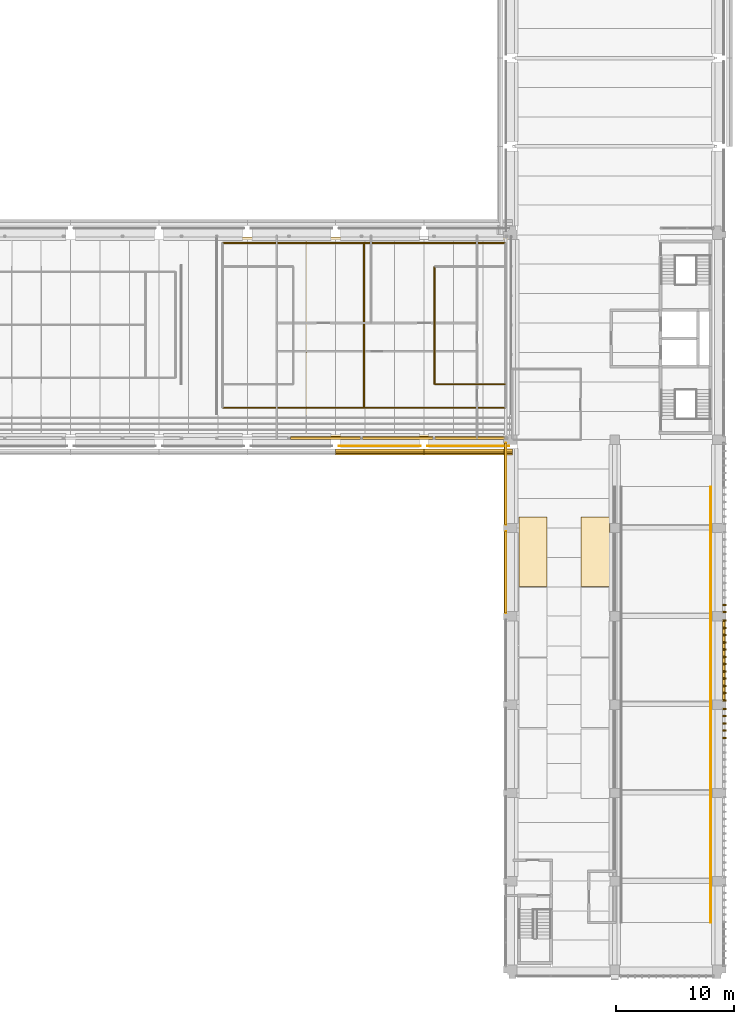
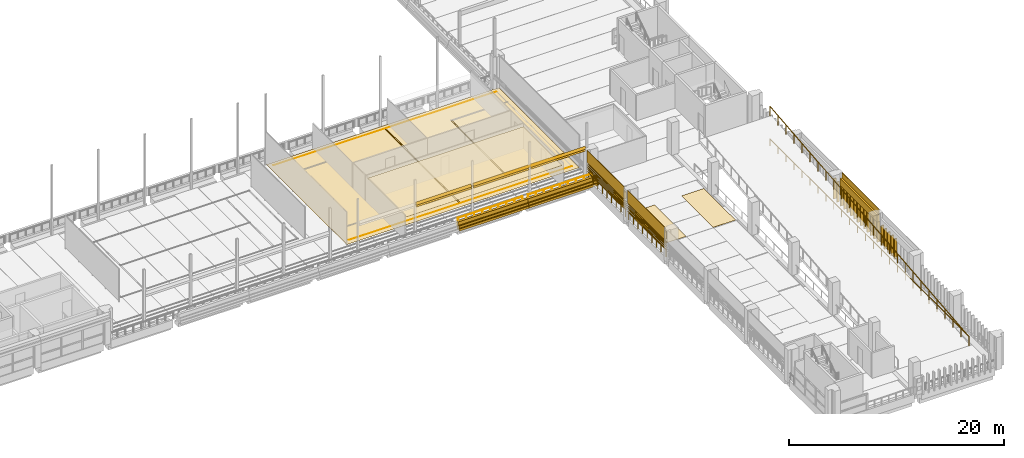
# One storey, part 56 of 62: 33 coverings, 16 shading devices, 6 railings.
"""IFC4 building model written with IfcOpenShell, lengths in metres."""

from ifc_helpers import new_model, si_unit, direction, frame, origin, origin_2d, place, context, subcontext, project, spatial, polyline, rectangle, circle, outline, extrude, material, layer, layer_set, material_profile, profile_set, type_object, element, save


model = new_model("IFC4")

# Units and contexts
model_context = context("Model", 3, precision=1e-05, world=origin(), true_north=direction((0.0, 1.0)))
body_context = subcontext(model_context, "Body", "Model", "MODEL_VIEW")
ifc_project = project(units=[si_unit("LENGTHUNIT", "METRE"), si_unit("AREAUNIT", "SQUARE_METRE"), si_unit("VOLUMEUNIT", "CUBIC_METRE"), si_unit("PLANEANGLEUNIT", "RADIAN"), si_unit("MASSUNIT", "GRAM", prefix="KILO")], contexts=[model_context])

# Site, building, storey
site_placement = place(None, origin())
site = spatial("IfcSite", under=ifc_project, at=site_placement, CompositionType="ELEMENT")
building_placement = place(site_placement, origin())
building = spatial("IfcBuilding", under=site, at=building_placement, Name="Cour d'Honneur Mobility Palace", CompositionType="ELEMENT")
storey_placement = place(building_placement, frame((0.0, 0.0, 19.300048828125)))
storey = spatial("IfcBuildingStorey", under=building, at=storey_placement, Name="L05", CompositionType="ELEMENT", Elevation=19.300048828125)

# Railings
ifc_material_1 = material(Name="Painted steel", Category="steel")
railing_type_1 = type_object("IfcRailingType", Name="Balustrade", PredefinedType="BALUSTRADE", material=ifc_material_1)
for number, where, name in (
    (1, (130.199951171875, 44.449951171875, 0.300048828125), "Balustrade BAL-281"),
    (2, (137.699951171875, 44.449951171875, 0.300048828125), "Balustrade BAL-282"),
):
    element("IfcRailing", number, at=place(storey_placement, frame(where)), inside=storey, type_object=railing_type_1, Name=name, PredefinedType="BALUSTRADE", context=body_context, shape_type="SweptSolid", body=[
        extrude(circle(Radius=0.02392578125, at=origin_2d()), frame((0.0, 0.0, 0.77587890625), z_axis=(1.0, 0.0, 0.0), x_axis=(0.0, 1.0, 0.0)), (0.0, 0.0, 1.0), 6.900146484375),
        extrude(circle(Radius=0.02099609375, at=origin_2d()), origin(), (0.0, 0.0, 1.0), 0.751953125),
        extrude(circle(Radius=0.02099609375, at=origin_2d()), frame((0.862548828125, 0.0, 0.0)), (0.0, 0.0, 1.0), 0.751953125),
        extrude(circle(Radius=0.02099609375, at=origin_2d()), frame((1.72509765625, 0.0, 0.0)), (0.0, 0.0, 1.0), 0.751953125),
        extrude(circle(Radius=0.02099609375, at=origin_2d()), frame((2.587646484375, 0.0, 0.0)), (0.0, 0.0, 1.0), 0.751953125),
        extrude(circle(Radius=0.02099609375, at=origin_2d()), frame((3.4501953125, 0.0, 0.0)), (0.0, 0.0, 1.0), 0.751953125),
        extrude(circle(Radius=0.02099609375, at=origin_2d()), frame((4.3125, 0.0, 0.0)), (0.0, 0.0, 1.0), 0.751953125),
        extrude(circle(Radius=0.02099609375, at=origin_2d()), frame((5.175048828125, 0.0, 0.0)), (0.0, 0.0, 1.0), 0.751953125),
        extrude(circle(Radius=0.02099609375, at=origin_2d()), frame((6.03759765625, 0.0, 0.0)), (0.0, 0.0, 1.0), 0.751953125),
        extrude(circle(Radius=0.02099609375, at=origin_2d()), frame((6.900146484375, 0.0, 0.0)), (0.0, 0.0, 1.0), 0.751953125),
    ])
for number, where, name in (
    (3, (144.35009765625, 44.699951171875, 0.300048828125), "Balustrade BAL-283"),
    (4, (144.35009765625, 37.199951171875, 0.300048828125), "Balustrade BAL-284"),
):
    element("IfcRailing", number, at=place(storey_placement, frame(where)), inside=storey, type_object=railing_type_1, Name=name, PredefinedType="BALUSTRADE", context=body_context, shape_type="SweptSolid", body=[
        extrude(circle(Radius=0.02392578125, at=origin_2d()), frame((0.0, 0.0, 0.77587890625), z_axis=(0.0, -1.0, 0.0), x_axis=(1.0, 0.0, 0.0)), (0.0, 0.0, 1.0), 6.89990234375),
        extrude(circle(Radius=0.02099609375, at=origin_2d()), origin(), (0.0, 0.0, 1.0), 0.751953125),
        extrude(circle(Radius=0.02099609375, at=origin_2d()), frame((0.0, -0.862548828125, 0.0)), (0.0, 0.0, 1.0), 0.751953125),
        extrude(circle(Radius=0.02099609375, at=origin_2d()), frame((0.0, -1.72509765625, 0.0)), (0.0, 0.0, 1.0), 0.751953125),
        extrude(circle(Radius=0.02099609375, at=origin_2d()), frame((0.0, -2.58740234375, 0.0)), (0.0, 0.0, 1.0), 0.751953125),
        extrude(circle(Radius=0.02099609375, at=origin_2d()), frame((0.0, -3.449951171875, 0.0)), (0.0, 0.0, 1.0), 0.751953125),
        extrude(circle(Radius=0.02099609375, at=origin_2d()), frame((0.0, -4.3125, 0.0)), (0.0, 0.0, 1.0), 0.751953125),
        extrude(circle(Radius=0.02099609375, at=origin_2d()), frame((0.0, -5.1748046875, 0.0)), (0.0, 0.0, 1.0), 0.751953125),
        extrude(circle(Radius=0.02099609375, at=origin_2d()), frame((0.0, -6.037353515625, 0.0)), (0.0, 0.0, 1.0), 0.751953125),
        extrude(circle(Radius=0.02099609375, at=origin_2d()), frame((0.0, -6.89990234375, 0.0)), (0.0, 0.0, 1.0), 0.751953125),
    ])

# Coverings
ifc_material_2 = material(Name="White court marking paint")
ifc_material_profile = material_profile(ifc_material_2, rectangle(XDim=0.10009765625, YDim=0.001953125, at=origin_2d()), Name="Court line marking")
ifc_profile_set = profile_set([ifc_material_profile], Name="White court marking paint")
covering_type_1 = type_object("IfcCoveringType", Name="Court line marking", PredefinedType="FLOORING", material=ifc_profile_set)
for number, where, z_axis, x_axis, name in (
    (5, (120.300048828125, 47.699951171875, 0.0009765625), (1.0, 0.0, 0.0), (0.0, 1.0, 0.0), "Court marking FE-19"),
    (6, (144.300048828125, 61.699951171875, 0.0009765625), (-1.0, 0.0, 0.0), (0.0, -1.0, 0.0), "Court marking FE-21"),
):
    element("IfcCovering", number, at=place(storey_placement, frame(where, z_axis=z_axis, x_axis=x_axis)), inside=storey, type_object=covering_type_1, Name=name, PredefinedType="FLOORING", context=body_context, shape_type="SweptSolid", body=[
        extrude(rectangle(XDim=0.10009765625, YDim=0.001953125, at=origin_2d()), origin(), (0.0, 0.0, 1.0), 24.0),
    ])
covering_1_placement = place(storey_placement, frame((132.300048828125, 47.699951171875, 0.0009765625), z_axis=(0.0, 1.0, 0.0), x_axis=(-1.0, 0.0, 0.0)))
element("IfcCovering", 7, at=covering_1_placement, inside=storey, type_object=covering_type_1, Name="Court marking FE-23", PredefinedType="FLOORING", context=body_context, shape_type="SweptSolid", body=[
    extrude(rectangle(XDim=0.10009765625, YDim=0.001953125, at=origin_2d()), origin(), (0.0, 0.0, 1.0), 14.0),
])
covering_2_placement = place(storey_placement, frame((138.300048828125, 49.699951171875, 0.0009765625), z_axis=(0.0, 1.0, 0.0), x_axis=(-1.0, 0.0, 0.0)))
element("IfcCovering", 8, at=covering_2_placement, inside=storey, type_object=covering_type_1, Name="Court marking FE-27", PredefinedType="FLOORING", context=body_context, shape_type="SweptSolid", body=[
    extrude(rectangle(XDim=0.10009765625, YDim=0.001953125, at=origin_2d()), origin(), (0.0, 0.0, 1.0), 10.0),
])
covering_3_placement = place(storey_placement, frame((144.300048828125, 49.699951171875, 0.0009765625), z_axis=(-1.0, 0.0, 0.0), x_axis=(0.0, -1.0, 0.0)))
element("IfcCovering", 9, at=covering_3_placement, inside=storey, type_object=covering_type_1, Name="Court marking FE-28", PredefinedType="FLOORING", context=body_context, shape_type="SweptSolid", body=[
    extrude(rectangle(XDim=0.10009765625, YDim=0.001953125, at=origin_2d()), origin(), (0.0, 0.0, 1.0), 6.0),
])
ifc_material_3 = material(Name="Cast limestone", Category="masonry")
ifc_layer_1 = layer(ifc_material_3, 0.5)
ifc_layer_set_1 = layer_set([ifc_layer_1], Name="Cast limestone")
covering_type_2 = type_object("IfcCoveringType", Name="Crown cornice", PredefinedType="CLADDING", material=ifc_layer_set_1)
for number, where, z_axis, x_axis, name in (
    (10, (129.89990234375, 44.199951171875, 0.099853515625), (-1.0, 0.0, 0.0), (0.0, -1.0, 0.0), "Crown cornice CN-12"),
    (11, (137.39990234375, 44.199951171875, 0.099853515625), (-1.0, 0.0, 0.0), (0.0, -1.0, 0.0), "Crown cornice CN-13"),
):
    element("IfcCovering", number, at=place(storey_placement, frame(where, z_axis=z_axis, x_axis=x_axis)), inside=storey, type_object=covering_type_2, Name=name, PredefinedType="CLADDING", context=body_context, shape_type="SweptSolid", body=[
        extrude(outline(polyline([(0.0, 0.0), (0.5, 0.0), (0.5, 0.25), (0.3798828125, 0.25), (0.3798828125, 0.5), (0.25, 0.5), (0.25, 0.900146484375), (0.0, 0.900146484375), (0.0, 0.0)])), origin(), (0.0, 0.0, -1.0), 7.5),
    ])
ifc_material_4 = material(Name="Acrylic court surface green")
ifc_layer_2 = layer(ifc_material_4, 0.006103515625)
ifc_layer_set_2 = layer_set([ifc_layer_2], Name="Acrylic court surface green")
covering_type_3 = type_object("IfcCoveringType", Name="Futsal court surface", PredefinedType="FLOORING", material=ifc_layer_set_2)
covering_4_placement = place(storey_placement, frame((119.800048828125, 47.199951171875, 0.0), z_axis=(0.0, 0.0, 1.0), x_axis=(1.0, 0.0, 0.0)))
element("IfcCovering", 12, at=covering_4_placement, inside=storey, type_object=covering_type_3, Name="Futsal Court East surface", PredefinedType="FLOORING", context=body_context, shape_type="SweptSolid", body=[
    extrude(outline(polyline([(0.0, 0.0), (25.0, 0.0), (25.0, 15.0), (0.0, 15.0), (0.0, 0.0)])), origin(), (0.0, 0.0, -1.0), 0.006103515625),
])
ifc_material_5 = material(Name="Parking marking paint")
ifc_layer_3 = layer(ifc_material_5, 0.0048828125)
ifc_layer_set_3 = layer_set([ifc_layer_3], Name="Parking marking paint")
covering_type_4 = type_object("IfcCoveringType", Name="Parking bay marking", PredefinedType="FLOORING", material=ifc_layer_set_3)
covering_5_placement = place(storey_placement, origin())
element("IfcCovering", 13, at=covering_5_placement, inside=storey, type_object=covering_type_4, Name="Parking bay marking L05 4", PredefinedType="FLOORING", context=body_context, shape_type="SweptSolid", body=[
    extrude(outline(polyline([(153.14990234375, 32.550048828125), (150.75, 32.550048828125), (150.75, 38.449951171875), (153.14990234375, 38.449951171875), (153.14990234375, 32.550048828125)])), origin(), (0.0, 0.0, 1.0), 0.0048828125),
])
covering_6_placement = place(storey_placement, origin())
element("IfcCovering", 14, at=covering_6_placement, inside=storey, type_object=covering_type_4, Name="Parking bay marking L05 8", PredefinedType="FLOORING", context=body_context, shape_type="SweptSolid", body=[
    extrude(outline(polyline([(147.85009765625, 32.550048828125), (145.449951171875, 32.550048828125), (145.449951171875, 38.449951171875), (147.85009765625, 38.449951171875), (147.85009765625, 32.550048828125)])), origin(), (0.0, 0.0, 1.0), 0.0048828125),
])

# Railing
ifc_material_6 = material(Name="Painted steel", Category="steel")
railing_type_2 = type_object("IfcRailingType", Name="Ramp guard 1100", PredefinedType="GUARDRAIL", material=ifc_material_6)
railing_1_placement = place(storey_placement, frame((161.75, 4.0, 0.0)))
element("IfcRailing", 15, at=railing_1_placement, inside=storey, type_object=railing_type_2, Name="Ramp guard Ramp East 6", PredefinedType="GUARDRAIL", context=body_context, shape_type="SweptSolid", body=[
    extrude(circle(Radius=0.02490234375, at=origin_2d()), frame((0.0, 0.0, 1.0751953125), z_axis=(0.0, 0.995037320222, 0.099502418892), x_axis=(-1.0, 0.0, 0.0)), (0.0, 0.0, 1.0), 37.1845703125),
    extrude(circle(Radius=0.02099609375, at=origin_2d()), origin(), (0.0, 0.0, 1.0), 1.050048828125),
    extrude(circle(Radius=0.02099609375, at=origin_2d()), frame((0.0, 1.47998046875, 0.14794921875)), (0.0, 0.0, 1.0), 1.050048828125),
    extrude(circle(Radius=0.02099609375, at=origin_2d()), frame((0.0, 2.9599609375, 0.2958984375)), (0.0, 0.0, 1.0), 1.050048828125),
    extrude(circle(Radius=0.02099609375, at=origin_2d()), frame((0.0, 4.43994140625, 0.444091796875)), (0.0, 0.0, 1.0), 1.050048828125),
    extrude(circle(Radius=0.02099609375, at=origin_2d()), frame((0.0, 5.919921875, 0.592041015625)), (0.0, 0.0, 1.0), 1.050048828125),
    extrude(circle(Radius=0.02099609375, at=origin_2d()), frame((0.0, 7.39990234375, 0.739990234375)), (0.0, 0.0, 1.0), 1.050048828125),
    extrude(circle(Radius=0.02099609375, at=origin_2d()), frame((0.0, 8.8798828125, 0.887939453125)), (0.0, 0.0, 1.0), 1.050048828125),
    extrude(circle(Radius=0.02099609375, at=origin_2d()), frame((0.0, 10.360107421875, 1.035888671875)), (0.0, 0.0, 1.0), 1.050048828125),
    extrude(circle(Radius=0.02099609375, at=origin_2d()), frame((0.0, 11.840087890625, 1.18408203125)), (0.0, 0.0, 1.0), 1.050048828125),
    extrude(circle(Radius=0.02099609375, at=origin_2d()), frame((0.0, 13.320068359375, 1.33203125)), (0.0, 0.0, 1.0), 1.050048828125),
    extrude(circle(Radius=0.02099609375, at=origin_2d()), frame((0.0, 14.800048828125, 1.47998046875)), (0.0, 0.0, 1.0), 1.050048828125),
    extrude(circle(Radius=0.02099609375, at=origin_2d()), frame((0.0, 16.280029296875, 1.6279296875)), (0.0, 0.0, 1.0), 1.050048828125),
    extrude(circle(Radius=0.02099609375, at=origin_2d()), frame((0.0, 17.760009765625, 1.77587890625)), (0.0, 0.0, 1.0), 1.050048828125),
    extrude(circle(Radius=0.02099609375, at=origin_2d()), frame((0.0, 19.239990234375, 1.924072265625)), (0.0, 0.0, 1.0), 1.050048828125),
    extrude(circle(Radius=0.02099609375, at=origin_2d()), frame((0.0, 20.719970703125, 2.072021484375)), (0.0, 0.0, 1.0), 1.050048828125),
    extrude(circle(Radius=0.02099609375, at=origin_2d()), frame((0.0, 22.199951171875, 2.219970703125)), (0.0, 0.0, 1.0), 1.050048828125),
    extrude(circle(Radius=0.02099609375, at=origin_2d()), frame((0.0, 23.679931640625, 2.367919921875)), (0.0, 0.0, 1.0), 1.050048828125),
    extrude(circle(Radius=0.02099609375, at=origin_2d()), frame((0.0, 25.159912109375, 2.515869140625)), (0.0, 0.0, 1.0), 1.050048828125),
    extrude(circle(Radius=0.02099609375, at=origin_2d()), frame((0.0, 26.639892578125, 2.6640625)), (0.0, 0.0, 1.0), 1.050048828125),
    extrude(circle(Radius=0.02099609375, at=origin_2d()), frame((0.0, 28.1201171875, 2.81201171875)), (0.0, 0.0, 1.0), 1.050048828125),
    extrude(circle(Radius=0.02099609375, at=origin_2d()), frame((0.0, 29.60009765625, 2.9599609375)), (0.0, 0.0, 1.0), 1.050048828125),
    extrude(circle(Radius=0.02099609375, at=origin_2d()), frame((0.0, 31.080078125, 3.10791015625)), (0.0, 0.0, 1.0), 1.050048828125),
    extrude(circle(Radius=0.02099609375, at=origin_2d()), frame((0.0, 32.56005859375, 3.255859375)), (0.0, 0.0, 1.0), 1.050048828125),
    extrude(circle(Radius=0.02099609375, at=origin_2d()), frame((0.0, 34.0400390625, 3.404052734375)), (0.0, 0.0, 1.0), 1.050048828125),
    extrude(circle(Radius=0.02099609375, at=origin_2d()), frame((0.0, 35.52001953125, 3.552001953125)), (0.0, 0.0, 1.0), 1.050048828125),
    extrude(circle(Radius=0.02099609375, at=origin_2d()), frame((0.0, 37.0, 3.699951171875)), (0.0, 0.0, 1.0), 1.050048828125),
])

# Coverings
ifc_material_7 = material(Name="Cast limestone", Category="masonry")
ifc_layer_4 = layer(ifc_material_7, 0.1201171875)
ifc_layer_set_4 = layer_set([ifc_layer_4], Name="Cast limestone")
covering_type_5 = type_object("IfcCoveringType", Name="Ramp screen fin", PredefinedType="CLADDING", material=ifc_layer_set_4)
covering_7_placement = place(storey_placement, origin())
element("IfcCovering", 16, at=covering_7_placement, inside=storey, type_object=covering_type_5, Name="Ramp screen fin E4.2 L05 8", PredefinedType="CLADDING", context=body_context, shape_type="SweptSolid", body=[
    extrude(outline(polyline([(162.75, 19.614501953125), (162.75, 19.734619140625), (163.050048828125, 19.734619140625), (163.050048828125, 19.614501953125), (162.75, 19.614501953125)])), origin(), (0.0, 0.0, 1.0), 2.300048828125),
])
covering_8_placement = place(storey_placement, origin())
element("IfcCovering", 17, at=covering_8_placement, inside=storey, type_object=covering_type_5, Name="Ramp screen fin E4.2 L05 9", PredefinedType="CLADDING", context=body_context, shape_type="SweptSolid", body=[
    extrude(outline(polyline([(162.75, 20.23095703125), (162.75, 20.350830078125), (163.050048828125, 20.350830078125), (163.050048828125, 20.23095703125), (162.75, 20.23095703125)])), origin(), (0.0, 0.0, 1.0), 2.300048828125),
])
covering_9_placement = place(storey_placement, origin())
element("IfcCovering", 18, at=covering_9_placement, inside=storey, type_object=covering_type_5, Name="Ramp screen fin E4.2 L05 10", PredefinedType="CLADDING", context=body_context, shape_type="SweptSolid", body=[
    extrude(outline(polyline([(162.75, 20.84716796875), (162.75, 20.96728515625), (163.050048828125, 20.96728515625), (163.050048828125, 20.84716796875), (162.75, 20.84716796875)])), origin(), (0.0, 0.0, 1.0), 2.300048828125),
])
covering_10_placement = place(storey_placement, origin())
element("IfcCovering", 19, at=covering_10_placement, inside=storey, type_object=covering_type_5, Name="Ramp screen fin E4.2 L05 11", PredefinedType="CLADDING", context=body_context, shape_type="SweptSolid", body=[
    extrude(outline(polyline([(162.75, 21.463623046875), (162.75, 21.583740234375), (163.050048828125, 21.583740234375), (163.050048828125, 21.463623046875), (162.75, 21.463623046875)])), origin(), (0.0, 0.0, 1.0), 2.300048828125),
])
covering_11_placement = place(storey_placement, origin())
element("IfcCovering", 20, at=covering_11_placement, inside=storey, type_object=covering_type_5, Name="Ramp screen fin E4.2 L05 12", PredefinedType="CLADDING", context=body_context, shape_type="SweptSolid", body=[
    extrude(outline(polyline([(162.75, 22.080078125), (162.75, 22.199951171875), (163.050048828125, 22.199951171875), (163.050048828125, 22.080078125), (162.75, 22.080078125)])), origin(), (0.0, 0.0, 1.0), 2.300048828125),
])
covering_12_placement = place(storey_placement, origin())
element("IfcCovering", 21, at=covering_12_placement, inside=storey, type_object=covering_type_5, Name="Ramp screen fin E4.3 L05 1", PredefinedType="CLADDING", context=body_context, shape_type="SweptSolid", body=[
    extrude(outline(polyline([(162.75, 22.800048828125), (162.75, 22.919921875), (163.050048828125, 22.919921875), (163.050048828125, 22.800048828125), (162.75, 22.800048828125)])), origin(), (0.0, 0.0, 1.0), 2.300048828125),
])
covering_13_placement = place(storey_placement, origin())
element("IfcCovering", 22, at=covering_13_placement, inside=storey, type_object=covering_type_5, Name="Ramp screen fin E4.3 L05 2", PredefinedType="CLADDING", context=body_context, shape_type="SweptSolid", body=[
    extrude(outline(polyline([(162.75, 23.416259765625), (162.75, 23.536376953125), (163.050048828125, 23.536376953125), (163.050048828125, 23.416259765625), (162.75, 23.416259765625)])), origin(), (0.0, 0.0, 1.0), 2.300048828125),
])
covering_14_placement = place(storey_placement, origin())
element("IfcCovering", 23, at=covering_14_placement, inside=storey, type_object=covering_type_5, Name="Ramp screen fin E4.3 L05 3", PredefinedType="CLADDING", context=body_context, shape_type="SweptSolid", body=[
    extrude(outline(polyline([(162.75, 24.03271484375), (162.75, 24.15283203125), (163.050048828125, 24.15283203125), (163.050048828125, 24.03271484375), (162.75, 24.03271484375)])), origin(), (0.0, 0.0, 1.0), 2.300048828125),
])
covering_15_placement = place(storey_placement, origin())
element("IfcCovering", 24, at=covering_15_placement, inside=storey, type_object=covering_type_5, Name="Ramp screen fin E4.3 L05 4", PredefinedType="CLADDING", context=body_context, shape_type="SweptSolid", body=[
    extrude(outline(polyline([(162.75, 24.649169921875), (162.75, 24.76904296875), (163.050048828125, 24.76904296875), (163.050048828125, 24.649169921875), (162.75, 24.649169921875)])), origin(), (0.0, 0.0, 1.0), 2.300048828125),
])
covering_16_placement = place(storey_placement, origin())
element("IfcCovering", 25, at=covering_16_placement, inside=storey, type_object=covering_type_5, Name="Ramp screen fin E4.3 L05 5", PredefinedType="CLADDING", context=body_context, shape_type="SweptSolid", body=[
    extrude(outline(polyline([(162.75, 25.265380859375), (162.75, 25.385498046875), (163.050048828125, 25.385498046875), (163.050048828125, 25.265380859375), (162.75, 25.265380859375)])), origin(), (0.0, 0.0, 1.0), 2.300048828125),
])
covering_17_placement = place(storey_placement, origin())
element("IfcCovering", 26, at=covering_17_placement, inside=storey, type_object=covering_type_5, Name="Ramp screen fin E4.3 L05 6", PredefinedType="CLADDING", context=body_context, shape_type="SweptSolid", body=[
    extrude(outline(polyline([(162.75, 25.8818359375), (162.75, 26.001708984375), (163.050048828125, 26.001708984375), (163.050048828125, 25.8818359375), (162.75, 25.8818359375)])), origin(), (0.0, 0.0, 1.0), 2.300048828125),
])
covering_18_placement = place(storey_placement, origin())
element("IfcCovering", 27, at=covering_18_placement, inside=storey, type_object=covering_type_5, Name="Ramp screen fin E4.3 L05 7", PredefinedType="CLADDING", context=body_context, shape_type="SweptSolid", body=[
    extrude(outline(polyline([(162.75, 26.498291015625), (162.75, 26.6181640625), (163.050048828125, 26.6181640625), (163.050048828125, 26.498291015625), (162.75, 26.498291015625)])), origin(), (0.0, 0.0, 1.0), 2.300048828125),
])
covering_19_placement = place(storey_placement, origin())
element("IfcCovering", 28, at=covering_19_placement, inside=storey, type_object=covering_type_5, Name="Ramp screen fin E4.3 L05 8", PredefinedType="CLADDING", context=body_context, shape_type="SweptSolid", body=[
    extrude(outline(polyline([(162.75, 27.114501953125), (162.75, 27.234619140625), (163.050048828125, 27.234619140625), (163.050048828125, 27.114501953125), (162.75, 27.114501953125)])), origin(), (0.0, 0.0, 1.0), 2.300048828125),
])
covering_20_placement = place(storey_placement, origin())
element("IfcCovering", 29, at=covering_20_placement, inside=storey, type_object=covering_type_5, Name="Ramp screen fin E4.3 L05 9", PredefinedType="CLADDING", context=body_context, shape_type="SweptSolid", body=[
    extrude(outline(polyline([(162.75, 27.73095703125), (162.75, 27.850830078125), (163.050048828125, 27.850830078125), (163.050048828125, 27.73095703125), (162.75, 27.73095703125)])), origin(), (0.0, 0.0, 1.0), 2.300048828125),
])
covering_21_placement = place(storey_placement, origin())
element("IfcCovering", 30, at=covering_21_placement, inside=storey, type_object=covering_type_5, Name="Ramp screen fin E4.3 L05 10", PredefinedType="CLADDING", context=body_context, shape_type="SweptSolid", body=[
    extrude(outline(polyline([(162.75, 28.34716796875), (162.75, 28.46728515625), (163.050048828125, 28.46728515625), (163.050048828125, 28.34716796875), (162.75, 28.34716796875)])), origin(), (0.0, 0.0, 1.0), 2.300048828125),
])
covering_22_placement = place(storey_placement, origin())
element("IfcCovering", 31, at=covering_22_placement, inside=storey, type_object=covering_type_5, Name="Ramp screen fin E4.3 L05 11", PredefinedType="CLADDING", context=body_context, shape_type="SweptSolid", body=[
    extrude(outline(polyline([(162.75, 28.963623046875), (162.75, 29.083740234375), (163.050048828125, 29.083740234375), (163.050048828125, 28.963623046875), (162.75, 28.963623046875)])), origin(), (0.0, 0.0, 1.0), 2.300048828125),
])
covering_23_placement = place(storey_placement, origin())
element("IfcCovering", 32, at=covering_23_placement, inside=storey, type_object=covering_type_5, Name="Ramp screen fin E4.3 L05 12", PredefinedType="CLADDING", context=body_context, shape_type="SweptSolid", body=[
    extrude(outline(polyline([(162.75, 29.580078125), (162.75, 29.699951171875), (163.050048828125, 29.699951171875), (163.050048828125, 29.580078125), (162.75, 29.580078125)])), origin(), (0.0, 0.0, 1.0), 2.300048828125),
])
covering_24_placement = place(storey_placement, origin())
element("IfcCovering", 33, at=covering_24_placement, inside=storey, type_object=covering_type_5, Name="Ramp screen fin E4.4 L05 1", PredefinedType="CLADDING", context=body_context, shape_type="SweptSolid", body=[
    extrude(outline(polyline([(162.75, 30.300048828125), (162.75, 30.419921875), (163.050048828125, 30.419921875), (163.050048828125, 30.300048828125), (162.75, 30.300048828125)])), origin(), (0.0, 0.0, 1.0), 2.300048828125),
])
covering_25_placement = place(storey_placement, origin())
element("IfcCovering", 34, at=covering_25_placement, inside=storey, type_object=covering_type_5, Name="Ramp screen fin E4.4 L05 2", PredefinedType="CLADDING", context=body_context, shape_type="SweptSolid", body=[
    extrude(outline(polyline([(162.75, 30.916259765625), (162.75, 31.036376953125), (163.050048828125, 31.036376953125), (163.050048828125, 30.916259765625), (162.75, 30.916259765625)])), origin(), (0.0, 0.0, 1.0), 2.300048828125),
])
ifc_material_8 = material(Name="Cast limestone", Category="masonry")
ifc_layer_5 = layer(ifc_material_8, 0.25)
ifc_layer_set_5 = layer_set([ifc_layer_5], Name="Cast limestone")
covering_type_6 = type_object("IfcCoveringType", Name="Spandrel cladding", PredefinedType="CLADDING", material=ifc_layer_set_5)
for number, where, z_axis, x_axis, name in (
    (35, (162.75, 22.800048828125, 2.300048828125), (0.0, -1.0, 0.0), (1.0, 0.0, 0.0), "Spandrel cladding SK-354"),
    (36, (144.449951171875, 44.699951171875, 2.300048828125), (0.0, 1.0, 0.0), (-1.0, 0.0, 0.0), "Spandrel cladding SK-356"),
    (37, (144.449951171875, 37.199951171875, 2.300048828125), (0.0, 1.0, 0.0), (-1.0, 0.0, 0.0), "Spandrel cladding SK-357"),
):
    element("IfcCovering", number, at=place(storey_placement, frame(where, z_axis=z_axis, x_axis=x_axis)), inside=storey, type_object=covering_type_6, Name=name, PredefinedType="CLADDING", context=body_context, shape_type="SweptSolid", body=[
        extrude(outline(polyline([(0.0, 0.0), (0.25, 0.0), (0.25, 1.39990234375), (0.199951171875, 1.39990234375), (0.199951171875, 0.7998046875), (0.0, 0.7998046875), (0.0, 0.0)])), origin(), (0.0, 0.0, -1.0), 6.89990234375),
    ])
ifc_material_9 = material(Name="Suspended ceiling")
ifc_layer_6 = layer(ifc_material_9, 0.030029296875)
ifc_layer_set_6 = layer_set([ifc_layer_6], Name="Suspended ceiling")
covering_type_7 = type_object("IfcCoveringType", Name="Suspended ceiling", PredefinedType="CEILING", material=ifc_layer_set_6)
covering_26_placement = place(storey_placement, frame((0.0, 0.0, 2.550048828125)))
element("IfcCovering", 38, at=covering_26_placement, inside=storey, type_object=covering_type_7, Name="Ceiling Sports Cafe", PredefinedType="CEILING", context=body_context, shape_type="SweptSolid", body=[
    extrude(outline(polyline([(141.780029296875, 45.1201171875), (125.02001953125, 45.1201171875), (125.02001953125, 52.3798828125), (141.780029296875, 52.3798828125), (141.780029296875, 45.1201171875)])), origin(), (0.0, 0.0, 1.0), 0.02978515625),
])

# Shading devices
ifc_material_10 = material(Name="Terracotta", Category="masonry")
ifc_layer_7 = layer(ifc_material_10, 0.02490234375)
ifc_layer_set_7 = layer_set([ifc_layer_7], Name="Terracotta")
shading_device_type = type_object("IfcShadingDeviceType", Name="Terracotta louvre blade", PredefinedType="JALOUSIE", material=ifc_layer_set_7)
for number, where, z_axis, x_axis, name in (
    (39, (144.4560546875, 44.699951171875, 1.099853515625), (0.707106781187, 0.0, 0.707106781187), (0.0, -1.0, 0.0), "Louvre blade LV-1 W6.1 L05 1"),
    (40, (144.4560546875, 44.699951171875, 1.31201171875), (0.707106781187, 0.0, 0.707106781187), (0.0, -1.0, 0.0), "Louvre blade LV-1 W6.1 L05 2"),
    (41, (144.4560546875, 44.699951171875, 1.524169921875), (0.707106781187, 0.0, 0.707106781187), (0.0, -1.0, 0.0), "Louvre blade LV-1 W6.1 L05 3"),
    (42, (144.4560546875, 44.699951171875, 1.736328125), (0.707106781187, 0.0, 0.707106781187), (0.0, -1.0, 0.0), "Louvre blade LV-1 W6.1 L05 4"),
    (43, (144.4560546875, 44.699951171875, 1.948486328125), (0.707106781187, 0.0, 0.707106781187), (0.0, -1.0, 0.0), "Louvre blade LV-1 W6.1 L05 5"),
    (44, (144.4560546875, 37.199951171875, 1.099853515625), (0.707106781187, 0.0, 0.707106781187), (0.0, -1.0, 0.0), "Louvre blade LV-1 W6.2 L05 1"),
    (45, (144.4560546875, 37.199951171875, 1.31201171875), (0.707106781187, 0.0, 0.707106781187), (0.0, -1.0, 0.0), "Louvre blade LV-1 W6.2 L05 2"),
    (46, (144.4560546875, 37.199951171875, 1.524169921875), (0.707106781187, 0.0, 0.707106781187), (0.0, -1.0, 0.0), "Louvre blade LV-1 W6.2 L05 3"),
    (47, (144.4560546875, 37.199951171875, 1.736328125), (0.707106781187, 0.0, 0.707106781187), (0.0, -1.0, 0.0), "Louvre blade LV-1 W6.2 L05 4"),
    (48, (144.4560546875, 37.199951171875, 1.948486328125), (0.707106781187, 0.0, 0.707106781187), (0.0, -1.0, 0.0), "Louvre blade LV-1 W6.2 L05 5"),
):
    element("IfcShadingDevice", number, at=place(storey_placement, frame(where, z_axis=z_axis, x_axis=x_axis)), inside=storey, type_object=shading_device_type, Name=name, PredefinedType="JALOUSIE", context=body_context, shape_type="SweptSolid", body=[
        extrude(outline(polyline([(0.0, 0.0), (6.89990234375, 0.0), (6.89990234375, -0.300037008228081), (0.0, -0.300037008228081), (0.0, 0.0)])), origin(), (0.0, 0.0, -1.0), 0.02490234375),
    ])
for number, where, z_axis, x_axis, name in (
    (49, (126.050048828125, 45.01904296875, 3.39990234375), (0.0, -0.707513749017, 0.706699578995), (1.0, 0.0, 0.0), "Louvre blade LV-2 FE PG-FE-S2 1"),
    (50, (126.050048828125, 45.01904296875, 3.612060546875), (0.0, -0.707513749017, 0.706699578995), (1.0, 0.0, 0.0), "Louvre blade LV-2 FE PG-FE-S2 2"),
    (51, (132.199951171875, 45.01904296875, 3.39990234375), (0.0, -0.707513749017, 0.706699578995), (1.0, 0.0, 0.0), "Louvre blade LV-2 FE PG-FE-S3 1"),
    (52, (132.199951171875, 45.01904296875, 3.612060546875), (0.0, -0.707513749017, 0.706699578995), (1.0, 0.0, 0.0), "Louvre blade LV-2 FE PG-FE-S3 2"),
    (53, (138.35009765625, 45.01904296875, 3.39990234375), (0.0, -0.707513749017, 0.706699578995), (1.0, 0.0, 0.0), "Louvre blade LV-2 FE PG-FE-S4 1"),
    (54, (138.35009765625, 45.01904296875, 3.612060546875), (0.0, -0.707513749017, 0.706699578995), (1.0, 0.0, 0.0), "Louvre blade LV-2 FE PG-FE-S4 2"),
):
    element("IfcShadingDevice", number, at=place(storey_placement, frame(where, z_axis=z_axis, x_axis=x_axis)), inside=storey, type_object=shading_device_type, Name=name, PredefinedType="JALOUSIE", context=body_context, shape_type="SweptSolid", body=[
        extrude(outline(polyline([(0.0, 0.0), (5.949951171875, 0.0), (5.949951171875, 0.29986442442957895), (0.0, 0.29986442442957895), (0.0, 0.0)])), origin(), (0.0, 0.0, -1.0), 0.02490234375),
    ])

# Railing
ifc_material_11 = material(Name="Painted steel", Category="steel")
railing_type_3 = type_object("IfcRailingType", Name="Void edge guard 1100", PredefinedType="GUARDRAIL", material=ifc_material_11)
railing_2_placement = place(storey_placement, frame((161.75, 4.0, 0.300048828125)))
element("IfcRailing", 55, at=railing_2_placement, inside=storey, type_object=railing_type_3, Name="Void edge guard SE L05", PredefinedType="GUARDRAIL", context=body_context, shape_type="SweptSolid", body=[
    extrude(circle(Radius=0.02490234375, at=origin_2d()), frame((0.0, 0.0, 0.77490234375), z_axis=(0.0, 1.0, 0.0), x_axis=(-1.0, 0.0, 0.0)), (0.0, 0.0, 1.0), 37.0),
    extrude(circle(Radius=0.02099609375, at=origin_2d()), origin(), (0.0, 0.0, 1.0), 0.75),
    extrude(circle(Radius=0.02099609375, at=origin_2d()), frame((0.0, 1.47998046875, 0.0)), (0.0, 0.0, 1.0), 0.75),
    extrude(circle(Radius=0.02099609375, at=origin_2d()), frame((0.0, 2.9599609375, 0.0)), (0.0, 0.0, 1.0), 0.75),
    extrude(circle(Radius=0.02099609375, at=origin_2d()), frame((0.0, 4.43994140625, 0.0)), (0.0, 0.0, 1.0), 0.75),
    extrude(circle(Radius=0.02099609375, at=origin_2d()), frame((0.0, 5.919921875, 0.0)), (0.0, 0.0, 1.0), 0.75),
    extrude(circle(Radius=0.02099609375, at=origin_2d()), frame((0.0, 7.39990234375, 0.0)), (0.0, 0.0, 1.0), 0.75),
    extrude(circle(Radius=0.02099609375, at=origin_2d()), frame((0.0, 8.8798828125, 0.0)), (0.0, 0.0, 1.0), 0.75),
    extrude(circle(Radius=0.02099609375, at=origin_2d()), frame((0.0, 10.360107421875, 0.0)), (0.0, 0.0, 1.0), 0.75),
    extrude(circle(Radius=0.02099609375, at=origin_2d()), frame((0.0, 11.840087890625, 0.0)), (0.0, 0.0, 1.0), 0.75),
    extrude(circle(Radius=0.02099609375, at=origin_2d()), frame((0.0, 13.320068359375, 0.0)), (0.0, 0.0, 1.0), 0.75),
    extrude(circle(Radius=0.02099609375, at=origin_2d()), frame((0.0, 14.800048828125, 0.0)), (0.0, 0.0, 1.0), 0.75),
    extrude(circle(Radius=0.02099609375, at=origin_2d()), frame((0.0, 16.280029296875, 0.0)), (0.0, 0.0, 1.0), 0.75),
    extrude(circle(Radius=0.02099609375, at=origin_2d()), frame((0.0, 17.760009765625, 0.0)), (0.0, 0.0, 1.0), 0.75),
    extrude(circle(Radius=0.02099609375, at=origin_2d()), frame((0.0, 19.239990234375, 0.0)), (0.0, 0.0, 1.0), 0.75),
    extrude(circle(Radius=0.02099609375, at=origin_2d()), frame((0.0, 20.719970703125, 0.0)), (0.0, 0.0, 1.0), 0.75),
    extrude(circle(Radius=0.02099609375, at=origin_2d()), frame((0.0, 22.199951171875, 0.0)), (0.0, 0.0, 1.0), 0.75),
    extrude(circle(Radius=0.02099609375, at=origin_2d()), frame((0.0, 23.679931640625, 0.0)), (0.0, 0.0, 1.0), 0.75),
    extrude(circle(Radius=0.02099609375, at=origin_2d()), frame((0.0, 25.159912109375, 0.0)), (0.0, 0.0, 1.0), 0.75),
    extrude(circle(Radius=0.02099609375, at=origin_2d()), frame((0.0, 26.639892578125, 0.0)), (0.0, 0.0, 1.0), 0.75),
    extrude(circle(Radius=0.02099609375, at=origin_2d()), frame((0.0, 28.1201171875, 0.0)), (0.0, 0.0, 1.0), 0.75),
    extrude(circle(Radius=0.02099609375, at=origin_2d()), frame((0.0, 29.60009765625, 0.0)), (0.0, 0.0, 1.0), 0.75),
    extrude(circle(Radius=0.02099609375, at=origin_2d()), frame((0.0, 31.080078125, 0.0)), (0.0, 0.0, 1.0), 0.75),
    extrude(circle(Radius=0.02099609375, at=origin_2d()), frame((0.0, 32.56005859375, 0.0)), (0.0, 0.0, 1.0), 0.75),
    extrude(circle(Radius=0.02099609375, at=origin_2d()), frame((0.0, 34.0400390625, 0.0)), (0.0, 0.0, 1.0), 0.75),
    extrude(circle(Radius=0.02099609375, at=origin_2d()), frame((0.0, 35.52001953125, 0.0)), (0.0, 0.0, 1.0), 0.75),
    extrude(circle(Radius=0.02099609375, at=origin_2d()), frame((0.0, 37.0, 0.0)), (0.0, 0.0, 1.0), 0.75),
])

save(model, "model.ifc")
